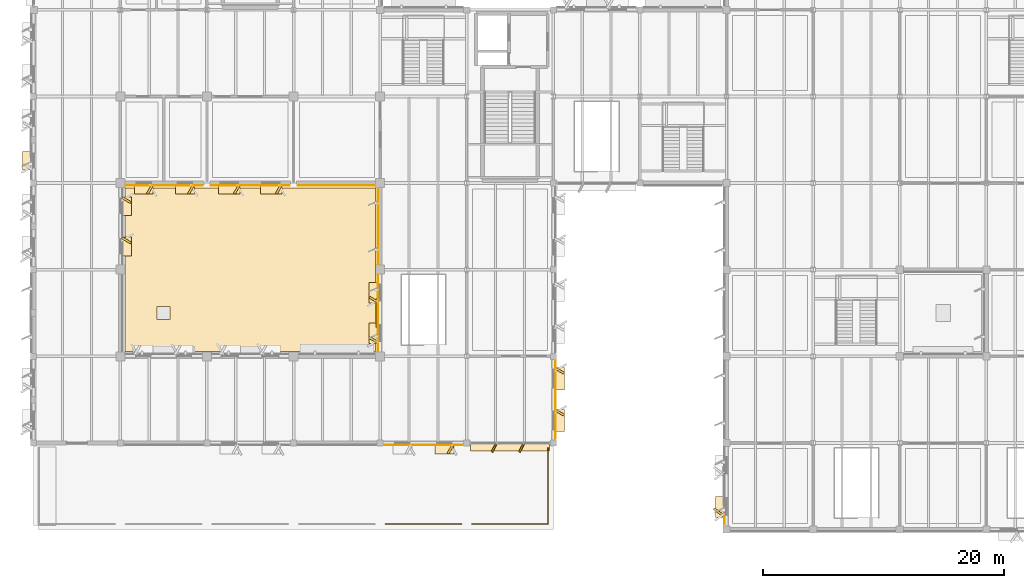
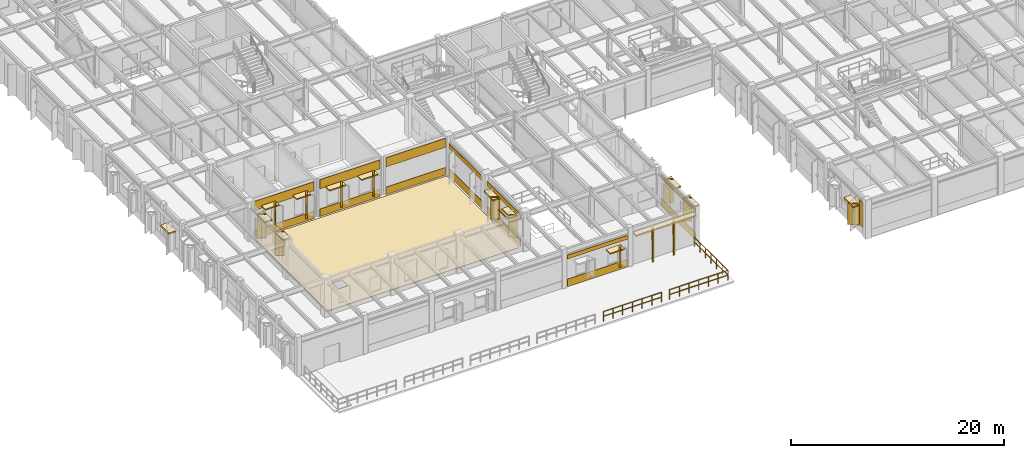
# One storey, part 76 of 92: 44 coverings, 3 railings, 1 shading device.
"""IFC4 building model written with IfcOpenShell, lengths in metres."""

from ifc_helpers import new_model, si_unit, direction, frame, frame_2d, origin, origin_2d, place, context, subcontext, project, spatial, polyline, rectangle, circle, outline, extrude, material, layer, layer_set, type_object, element, save


model = new_model("IFC4")

# Units and contexts
model_context = context("Model", 3, precision=1e-05, world=origin(), true_north=direction((0.0, 1.0)))
body_context = subcontext(model_context, "Body", "Model", "MODEL_VIEW")
ifc_project = project(units=[si_unit("LENGTHUNIT", "METRE"), si_unit("AREAUNIT", "SQUARE_METRE"), si_unit("VOLUMEUNIT", "CUBIC_METRE"), si_unit("PLANEANGLEUNIT", "RADIAN"), si_unit("MASSUNIT", "GRAM", prefix="KILO")], contexts=[model_context])

# Site, building, storey
site_placement = place(None, origin())
site = spatial("IfcSite", under=ifc_project, at=site_placement, CompositionType="ELEMENT")
building_placement = place(site_placement, origin())
building = spatial("IfcBuilding", under=site, at=building_placement, Name="Sillqori Civic Hall", CompositionType="ELEMENT")
storey_placement = place(building_placement, frame((0.0, 0.0, 5.39990234375)))
storey = spatial("IfcBuildingStorey", under=building, at=storey_placement, Name="L02", CompositionType="ELEMENT", Elevation=5.39990234375)

# Coverings
ifc_material_1 = material(Name="Cochabamba Honed Limestone Cladding", Category="masonry")
ifc_layer_1 = layer(ifc_material_1, 0.044921875)
ifc_layer_set_1 = layer_set([ifc_layer_1], Name="Cochabamba Honed Limestone Cladding")
covering_type_1 = type_object("IfcCoveringType", Name="COV-CLAD-LIME", PredefinedType="CLADDING", material=ifc_layer_set_1)
covering_1_placement = place(storey_placement, frame((14.550048828125, 34.797119140625, 0.830078125), z_axis=(0.0, 0.0, 1.0), x_axis=(0.865989465428, -0.500062241894, 0.0)))
element("IfcCovering", 1, at=covering_1_placement, inside=storey, type_object=covering_type_1, Name="Sawtooth limestone angled reveal cheek L02-01-04-E.1", PredefinedType="CLADDING", context=body_context, shape_type="SweptSolid", body=[
    extrude(rectangle(XDim=0.85009765625, YDim=0.179931640625, at=frame_2d((0.425048828125, 0.0))), origin(), (0.0, 0.0, 1.0), 2.699951171875),
])
covering_2_placement = place(storey_placement, frame((14.929931640625, 34.85693359375, 3.39013671875), z_axis=(0.0, 0.0, 1.0), x_axis=(0.0, -1.0, 0.0)))
element("IfcCovering", 2, at=covering_2_placement, inside=storey, type_object=covering_type_1, Name="Sawtooth limestone window hood L02-01-04-E.1", PredefinedType="CLADDING", context=body_context, shape_type="SweptSolid", body=[
    extrude(rectangle(XDim=1.559814453125, YDim=0.780029296875, at=frame_2d((0.77978515625, 0.0))), origin(), (0.0, 0.0, 1.0), 0.139892578125),
])
covering_3_placement = place(storey_placement, frame((14.550048828125, 31.443115234375, 0.830078125), z_axis=(0.0, 0.0, 1.0), x_axis=(0.865989465428, -0.500062241894, 0.0)))
element("IfcCovering", 3, at=covering_3_placement, inside=storey, type_object=covering_type_1, Name="Sawtooth limestone angled reveal cheek L02-01-04-E.2", PredefinedType="CLADDING", context=body_context, shape_type="SweptSolid", body=[
    extrude(rectangle(XDim=0.85009765625, YDim=0.179931640625, at=frame_2d((0.425048828125, 0.0))), origin(), (0.0, 0.0, 1.0), 2.699951171875),
])
covering_4_placement = place(storey_placement, frame((14.929931640625, 31.5029296875, 3.39013671875), z_axis=(0.0, 0.0, 1.0), x_axis=(0.0, -1.0, 0.0)))
element("IfcCovering", 4, at=covering_4_placement, inside=storey, type_object=covering_type_1, Name="Sawtooth limestone window hood L02-01-04-E.2", PredefinedType="CLADDING", context=body_context, shape_type="SweptSolid", body=[
    extrude(rectangle(XDim=1.559814453125, YDim=0.780029296875, at=frame_2d((0.77978515625, 0.0))), origin(), (0.0, 0.0, 1.0), 0.139892578125),
])
covering_5_placement = place(storey_placement, frame((6.669921875, 37.077880859375, 2.690185546875), z_axis=(0.0, 0.0, 1.0), x_axis=(0.0, 1.0, 0.0)))
element("IfcCovering", 5, at=covering_5_placement, inside=storey, type_object=covering_type_1, Name="Sawtooth limestone window hood L02-01-05-W.1", PredefinedType="CLADDING", context=body_context, shape_type="SweptSolid", body=[
    extrude(rectangle(XDim=1.56005859375, YDim=0.780029296875, at=frame_2d((0.780029296875, 0.0))), origin(), (0.0, 0.0, 1.0), 0.139892578125),
])
covering_6_placement = place(storey_placement, frame((21.27001953125, 35.81005859375, 0.0400390625), z_axis=(0.0, 0.0, 1.0), x_axis=(-1.0, 0.0, 0.0)))
element("IfcCovering", 6, at=covering_6_placement, inside=storey, type_object=covering_type_1, Name="L02 limestone spandrel cladding L02-02-05-S", PredefinedType="CLADDING", context=body_context, shape_type="SweptSolid", body=[
    extrude(rectangle(XDim=6.4150390625, YDim=0.044921875, at=frame_2d((3.20751953125, 0.0))), origin(), (0.0, 0.0, 1.0), 0.860107421875),
])
covering_7_placement = place(storey_placement, frame((21.27001953125, 35.81005859375, 3.22021484375), z_axis=(0.0, 0.0, 1.0), x_axis=(-1.0, 0.0, 0.0)))
element("IfcCovering", 7, at=covering_7_placement, inside=storey, type_object=covering_type_1, Name="L02 limestone frieze cladding L02-02-05-S", PredefinedType="CLADDING", context=body_context, shape_type="SweptSolid", body=[
    extrude(rectangle(XDim=6.4150390625, YDim=0.044921875, at=frame_2d((3.20751953125, 0.0))), origin(), (0.0, 0.0, 1.0), 1.039794921875),
])
covering_8_placement = place(storey_placement, frame((20.491943359375, 35.85009765625, 0.830078125), z_axis=(0.0, 0.0, 1.0), x_axis=(-0.500062241894, -0.865989465428, 0.0)))
element("IfcCovering", 8, at=covering_8_placement, inside=storey, type_object=covering_type_1, Name="Sawtooth limestone angled reveal cheek L02-02-05-S.1", PredefinedType="CLADDING", context=body_context, shape_type="SweptSolid", body=[
    extrude(rectangle(XDim=0.85009765625, YDim=0.179931640625, at=frame_2d((0.425048828125, 0.0))), origin(), (0.0, 0.0, 1.0), 2.699951171875),
])
covering_9_placement = place(storey_placement, frame((20.552001953125, 35.469970703125, 3.39013671875), z_axis=(0.0, 0.0, 1.0), x_axis=(-1.0, 0.0, 0.0)))
element("IfcCovering", 9, at=covering_9_placement, inside=storey, type_object=covering_type_1, Name="Sawtooth limestone window hood L02-02-05-S.1", PredefinedType="CLADDING", context=body_context, shape_type="SweptSolid", body=[
    extrude(rectangle(XDim=1.56005859375, YDim=0.780029296875, at=frame_2d((0.780029296875, 0.0))), origin(), (0.0, 0.0, 1.0), 0.139892578125),
])
covering_10_placement = place(storey_placement, frame((17.072998046875, 35.85009765625, 0.830078125), z_axis=(0.0, 0.0, 1.0), x_axis=(-0.500062241894, -0.865989465428, 0.0)))
element("IfcCovering", 10, at=covering_10_placement, inside=storey, type_object=covering_type_1, Name="Sawtooth limestone angled reveal cheek L02-02-05-S.2", PredefinedType="CLADDING", context=body_context, shape_type="SweptSolid", body=[
    extrude(rectangle(XDim=0.85009765625, YDim=0.179931640625, at=frame_2d((0.425048828125, 0.0))), origin(), (0.0, 0.0, 1.0), 2.699951171875),
])
covering_11_placement = place(storey_placement, frame((17.133056640625, 35.469970703125, 3.39013671875), z_axis=(0.0, 0.0, 1.0), x_axis=(-1.0, 0.0, 0.0)))
element("IfcCovering", 11, at=covering_11_placement, inside=storey, type_object=covering_type_1, Name="Sawtooth limestone window hood L02-02-05-S.2", PredefinedType="CLADDING", context=body_context, shape_type="SweptSolid", body=[
    extrude(rectangle(XDim=1.56005859375, YDim=0.780029296875, at=frame_2d((0.780029296875, 0.0))), origin(), (0.0, 0.0, 1.0), 0.139892578125),
])
covering_12_placement = place(storey_placement, frame((28.469970703125, 35.81005859375, 0.0400390625), z_axis=(0.0, 0.0, 1.0), x_axis=(-1.0, 0.0, 0.0)))
element("IfcCovering", 12, at=covering_12_placement, inside=storey, type_object=covering_type_1, Name="L02 limestone spandrel cladding L02-03-05-S", PredefinedType="CLADDING", context=body_context, shape_type="SweptSolid", body=[
    extrude(rectangle(XDim=6.5400390625, YDim=0.044921875, at=frame_2d((3.27001953125, 0.0))), origin(), (0.0, 0.0, 1.0), 0.860107421875),
])
covering_13_placement = place(storey_placement, frame((28.469970703125, 35.81005859375, 3.22021484375), z_axis=(0.0, 0.0, 1.0), x_axis=(-1.0, 0.0, 0.0)))
element("IfcCovering", 13, at=covering_13_placement, inside=storey, type_object=covering_type_1, Name="L02 limestone frieze cladding L02-03-05-S", PredefinedType="CLADDING", context=body_context, shape_type="SweptSolid", body=[
    extrude(rectangle(XDim=6.5400390625, YDim=0.044921875, at=frame_2d((3.27001953125, 0.0))), origin(), (0.0, 0.0, 1.0), 1.039794921875),
])
covering_14_placement = place(storey_placement, frame((27.787109375, 35.85009765625, 0.830078125), z_axis=(0.0, 0.0, 1.0), x_axis=(-0.500062241894, -0.865989465428, 0.0)))
element("IfcCovering", 14, at=covering_14_placement, inside=storey, type_object=covering_type_1, Name="Sawtooth limestone angled reveal cheek L02-03-05-S.1", PredefinedType="CLADDING", context=body_context, shape_type="SweptSolid", body=[
    extrude(rectangle(XDim=0.85009765625, YDim=0.179931640625, at=frame_2d((0.425048828125, 0.0))), origin(), (0.0, 0.0, 1.0), 2.449951171875),
])
covering_15_placement = place(storey_placement, frame((27.846923828125, 35.469970703125, 3.14013671875), z_axis=(0.0, 0.0, 1.0), x_axis=(-1.0, 0.0, 0.0)))
element("IfcCovering", 15, at=covering_15_placement, inside=storey, type_object=covering_type_1, Name="Sawtooth limestone window hood L02-03-05-S.1", PredefinedType="CLADDING", context=body_context, shape_type="SweptSolid", body=[
    extrude(rectangle(XDim=1.809814453125, YDim=0.780029296875, at=frame_2d((0.90478515625, 0.0))), origin(), (0.0, 0.0, 1.0), 0.139892578125),
])
covering_16_placement = place(storey_placement, frame((24.302978515625, 35.85009765625, 0.830078125), z_axis=(0.0, 0.0, 1.0), x_axis=(-0.500062241894, -0.865989465428, 0.0)))
element("IfcCovering", 16, at=covering_16_placement, inside=storey, type_object=covering_type_1, Name="Sawtooth limestone angled reveal cheek L02-03-05-S.2", PredefinedType="CLADDING", context=body_context, shape_type="SweptSolid", body=[
    extrude(rectangle(XDim=0.85009765625, YDim=0.179931640625, at=frame_2d((0.425048828125, 0.0))), origin(), (0.0, 0.0, 1.0), 2.449951171875),
])
covering_17_placement = place(storey_placement, frame((24.363037109375, 35.469970703125, 3.14013671875), z_axis=(0.0, 0.0, 1.0), x_axis=(-1.0, 0.0, 0.0)))
element("IfcCovering", 17, at=covering_17_placement, inside=storey, type_object=covering_type_1, Name="Sawtooth limestone window hood L02-03-05-S.2", PredefinedType="CLADDING", context=body_context, shape_type="SweptSolid", body=[
    extrude(rectangle(XDim=1.81005859375, YDim=0.780029296875, at=frame_2d((0.905029296875, 0.0))), origin(), (0.0, 0.0, 1.0), 0.139892578125),
])
covering_18_placement = place(storey_placement, frame((35.544921875, 35.81005859375, 0.0400390625), z_axis=(0.0, 0.0, 1.0), x_axis=(-1.0, 0.0, 0.0)))
element("IfcCovering", 18, at=covering_18_placement, inside=storey, type_object=covering_type_1, Name="L02 limestone spandrel cladding L02-04-05-S", PredefinedType="CLADDING", context=body_context, shape_type="SweptSolid", body=[
    extrude(rectangle(XDim=6.4150390625, YDim=0.044921875, at=frame_2d((3.20751953125, 0.0))), origin(), (0.0, 0.0, 1.0), 0.860107421875),
])
covering_19_placement = place(storey_placement, frame((35.544921875, 35.81005859375, 3.22021484375), z_axis=(0.0, 0.0, 1.0), x_axis=(-1.0, 0.0, 0.0)))
element("IfcCovering", 19, at=covering_19_placement, inside=storey, type_object=covering_type_1, Name="L02 limestone frieze cladding L02-04-05-S", PredefinedType="CLADDING", context=body_context, shape_type="SweptSolid", body=[
    extrude(rectangle(XDim=6.4150390625, YDim=0.044921875, at=frame_2d((3.20751953125, 0.0))), origin(), (0.0, 0.0, 1.0), 1.039794921875),
])
covering_20_placement = place(storey_placement, frame((42.8701171875, 14.2099609375, 0.0400390625), z_axis=(0.0, 0.0, 1.0), x_axis=(-1.0, 0.0, 0.0)))
element("IfcCovering", 20, at=covering_20_placement, inside=storey, type_object=covering_type_1, Name="L02 limestone spandrel cladding L02-05-02-S", PredefinedType="CLADDING", context=body_context, shape_type="SweptSolid", body=[
    extrude(rectangle(XDim=6.5400390625, YDim=0.044921875, at=frame_2d((3.27001953125, 0.0))), origin(), (0.0, 0.0, 1.0), 0.860107421875),
])
covering_21_placement = place(storey_placement, frame((42.8701171875, 14.2099609375, 3.22021484375), z_axis=(0.0, 0.0, 1.0), x_axis=(-1.0, 0.0, 0.0)))
element("IfcCovering", 21, at=covering_21_placement, inside=storey, type_object=covering_type_1, Name="L02 limestone frieze cladding L02-05-02-S", PredefinedType="CLADDING", context=body_context, shape_type="SweptSolid", body=[
    extrude(rectangle(XDim=6.5400390625, YDim=0.044921875, at=frame_2d((3.27001953125, 0.0))), origin(), (0.0, 0.0, 1.0), 0.43798828125),
])
covering_22_placement = place(storey_placement, frame((42.06201171875, 14.25, 0.830078125), z_axis=(0.0, 0.0, 1.0), x_axis=(-0.500062241894, -0.865989465428, 0.0)))
element("IfcCovering", 22, at=covering_22_placement, inside=storey, type_object=covering_type_1, Name="Sawtooth limestone angled reveal cheek L02-05-02-S.1", PredefinedType="CLADDING", context=body_context, shape_type="SweptSolid", body=[
    extrude(rectangle(XDim=0.85009765625, YDim=0.179931640625, at=frame_2d((0.425048828125, 0.0))), origin(), (0.0, 0.0, 1.0), 2.0),
])
covering_23_placement = place(storey_placement, frame((42.1220703125, 13.8701171875, 2.690185546875), z_axis=(0.0, 0.0, 1.0), x_axis=(-1.0, 0.0, 0.0)))
element("IfcCovering", 23, at=covering_23_placement, inside=storey, type_object=covering_type_1, Name="Sawtooth limestone window hood L02-05-02-S.1", PredefinedType="CLADDING", context=body_context, shape_type="SweptSolid", body=[
    extrude(rectangle(XDim=1.56005859375, YDim=0.780029296875, at=frame_2d((0.780029296875, 0.0))), origin(), (0.0, 0.0, 1.0), 0.139892578125),
])
covering_24_placement = place(storey_placement, frame((35.81005859375, 22.054931640625, 0.0400390625), z_axis=(0.0, 0.0, 1.0), x_axis=(0.0, 1.0, 0.0)))
element("IfcCovering", 24, at=covering_24_placement, inside=storey, type_object=covering_type_1, Name="L02 limestone spandrel cladding L02-05-03-W", PredefinedType="CLADDING", context=body_context, shape_type="SweptSolid", body=[
    extrude(rectangle(XDim=6.2900390625, YDim=0.044921875, at=frame_2d((3.14501953125, 0.0))), origin(), (0.0, 0.0, 1.0), 0.860107421875),
])
covering_25_placement = place(storey_placement, frame((35.81005859375, 22.054931640625, 3.22021484375), z_axis=(0.0, 0.0, 1.0), x_axis=(0.0, 1.0, 0.0)))
element("IfcCovering", 25, at=covering_25_placement, inside=storey, type_object=covering_type_1, Name="L02 limestone frieze cladding L02-05-03-W", PredefinedType="CLADDING", context=body_context, shape_type="SweptSolid", body=[
    extrude(rectangle(XDim=6.2900390625, YDim=0.044921875, at=frame_2d((3.14501953125, 0.0))), origin(), (0.0, 0.0, 1.0), 0.5068359375),
])
covering_26_placement = place(storey_placement, frame((35.85009765625, 22.72802734375, 0.830078125), z_axis=(0.0, 0.0, 1.0), x_axis=(-0.865989465428, 0.500062241894, 0.0)))
element("IfcCovering", 26, at=covering_26_placement, inside=storey, type_object=covering_type_1, Name="Sawtooth limestone angled reveal cheek L02-05-03-W.1", PredefinedType="CLADDING", context=body_context, shape_type="SweptSolid", body=[
    extrude(rectangle(XDim=0.85009765625, YDim=0.179931640625, at=frame_2d((0.425048828125, 0.0))), origin(), (0.0, 0.0, 1.0), 2.449951171875),
])
covering_27_placement = place(storey_placement, frame((35.469970703125, 22.66796875, 3.14013671875), z_axis=(0.0, 0.0, 1.0), x_axis=(0.0, 1.0, 0.0)))
element("IfcCovering", 27, at=covering_27_placement, inside=storey, type_object=covering_type_1, Name="Sawtooth limestone window hood L02-05-03-W.1", PredefinedType="CLADDING", context=body_context, shape_type="SweptSolid", body=[
    extrude(rectangle(XDim=1.7099609375, YDim=0.780029296875, at=frame_2d((0.85498046875, 0.0))), origin(), (0.0, 0.0, 1.0), 0.139892578125),
])
covering_28_placement = place(storey_placement, frame((35.85009765625, 26.08203125, 0.830078125), z_axis=(0.0, 0.0, 1.0), x_axis=(-0.865989465428, 0.500062241894, 0.0)))
element("IfcCovering", 28, at=covering_28_placement, inside=storey, type_object=covering_type_1, Name="Sawtooth limestone angled reveal cheek L02-05-03-W.2", PredefinedType="CLADDING", context=body_context, shape_type="SweptSolid", body=[
    extrude(rectangle(XDim=0.85009765625, YDim=0.179931640625, at=frame_2d((0.425048828125, 0.0))), origin(), (0.0, 0.0, 1.0), 2.449951171875),
])
covering_29_placement = place(storey_placement, frame((35.469970703125, 26.02197265625, 3.14013671875), z_axis=(0.0, 0.0, 1.0), x_axis=(0.0, 1.0, 0.0)))
element("IfcCovering", 29, at=covering_29_placement, inside=storey, type_object=covering_type_1, Name="Sawtooth limestone window hood L02-05-03-W.2", PredefinedType="CLADDING", context=body_context, shape_type="SweptSolid", body=[
    extrude(rectangle(XDim=1.7099609375, YDim=0.780029296875, at=frame_2d((0.85498046875, 0.0))), origin(), (0.0, 0.0, 1.0), 0.139892578125),
])
covering_30_placement = place(storey_placement, frame((35.81005859375, 29.2548828125, 0.0400390625), z_axis=(0.0, 0.0, 1.0), x_axis=(0.0, 1.0, 0.0)))
element("IfcCovering", 30, at=covering_30_placement, inside=storey, type_object=covering_type_1, Name="L02 limestone spandrel cladding L02-05-04-W", PredefinedType="CLADDING", context=body_context, shape_type="SweptSolid", body=[
    extrude(rectangle(XDim=6.2900390625, YDim=0.044921875, at=frame_2d((3.14501953125, 0.0))), origin(), (0.0, 0.0, 1.0), 0.860107421875),
])
covering_31_placement = place(storey_placement, frame((35.81005859375, 29.2548828125, 3.22021484375), z_axis=(0.0, 0.0, 1.0), x_axis=(0.0, 1.0, 0.0)))
element("IfcCovering", 31, at=covering_31_placement, inside=storey, type_object=covering_type_1, Name="L02 limestone frieze cladding L02-05-04-W", PredefinedType="CLADDING", context=body_context, shape_type="SweptSolid", body=[
    extrude(rectangle(XDim=6.2900390625, YDim=0.044921875, at=frame_2d((3.14501953125, 0.0))), origin(), (0.0, 0.0, 1.0), 0.5068359375),
])
covering_32_placement = place(storey_placement, frame((50.070068359375, 14.080078125, 3.51806640625), z_axis=(0.0, 0.0, 1.0), x_axis=(-1.0, 0.0, 0.0)))
element("IfcCovering", 32, at=covering_32_placement, inside=storey, type_object=covering_type_1, Name="L02 curtain-wall limestone solar hood L02-06-02-S", PredefinedType="CLADDING", context=body_context, shape_type="SweptSolid", body=[
    extrude(rectangle(XDim=6.5400390625, YDim=0.679931640625, at=frame_2d((3.27001953125, 0.0))), origin(), (0.0, 0.0, 1.0), 0.179931640625),
])
for number, where, z_axis, x_axis, name in (
    (33, (47.93896484375, 14.35009765625, 0.06005859375), (0.0, 0.0, 1.0), (-0.44697098964, -0.894548452807, 0.0), "L02 curtain-wall angled stone fin L02-06-02-S.1"),
    (34, (45.660888671875, 14.35009765625, 0.06005859375), (0.0, 0.0, 1.0), (-0.44697098964, -0.894548452807, 0.0), "L02 curtain-wall angled stone fin L02-06-02-S.2"),
):
    element("IfcCovering", number, at=place(storey_placement, frame(where, z_axis=z_axis, x_axis=x_axis)), inside=storey, type_object=covering_type_1, Name=name, PredefinedType="CLADDING", context=body_context, shape_type="SweptSolid", body=[
        extrude(rectangle(XDim=0.80517578125, YDim=0.139892578125, at=frame_2d((0.402587890625, 0.0))), origin(), (0.0, 0.0, 1.0), 3.4580078125),
    ])
covering_33_placement = place(storey_placement, frame((50.590087890625, 21.27001953125, 0.0400390625), z_axis=(0.0, 0.0, 1.0), x_axis=(0.0, -1.0, 0.0)))
element("IfcCovering", 35, at=covering_33_placement, inside=storey, type_object=covering_type_1, Name="L02 limestone spandrel cladding L02-06-02-E", PredefinedType="CLADDING", context=body_context, shape_type="SweptSolid", body=[
    extrude(rectangle(XDim=6.5400390625, YDim=0.044921875, at=frame_2d((3.27001953125, 0.0))), origin(), (0.0, 0.0, 1.0), 0.860107421875),
])
covering_34_placement = place(storey_placement, frame((50.590087890625, 21.27001953125, 3.22021484375), z_axis=(0.0, 0.0, 1.0), x_axis=(0.0, -1.0, 0.0)))
element("IfcCovering", 36, at=covering_34_placement, inside=storey, type_object=covering_type_1, Name="L02 limestone frieze cladding L02-06-02-E", PredefinedType="CLADDING", context=body_context, shape_type="SweptSolid", body=[
    extrude(rectangle(XDim=6.5400390625, YDim=0.044921875, at=frame_2d((3.27001953125, 0.0))), origin(), (0.0, 0.0, 1.0), 0.5068359375),
])
covering_35_placement = place(storey_placement, frame((50.550048828125, 20.612060546875, 0.830078125), z_axis=(0.0, 0.0, 1.0), x_axis=(0.865989465428, -0.500062241894, 0.0)))
element("IfcCovering", 37, at=covering_35_placement, inside=storey, type_object=covering_type_1, Name="Sawtooth limestone angled reveal cheek L02-06-02-E.1", PredefinedType="CLADDING", context=body_context, shape_type="SweptSolid", body=[
    extrude(rectangle(XDim=0.85009765625, YDim=0.179931640625, at=frame_2d((0.425048828125, 0.0))), origin(), (0.0, 0.0, 1.0), 2.699951171875),
])
covering_36_placement = place(storey_placement, frame((50.929931640625, 20.672119140625, 3.39013671875), z_axis=(0.0, 0.0, 1.0), x_axis=(0.0, -1.0, 0.0)))
element("IfcCovering", 38, at=covering_36_placement, inside=storey, type_object=covering_type_1, Name="Sawtooth limestone window hood L02-06-02-E.1", PredefinedType="CLADDING", context=body_context, shape_type="SweptSolid", body=[
    extrude(rectangle(XDim=1.860107421875, YDim=0.780029296875, at=frame_2d((0.93017578125, 0.0))), origin(), (0.0, 0.0, 1.0), 0.139892578125),
])
covering_37_placement = place(storey_placement, frame((50.550048828125, 17.1279296875, 0.830078125), z_axis=(0.0, 0.0, 1.0), x_axis=(0.865989465428, -0.500062241894, 0.0)))
element("IfcCovering", 39, at=covering_37_placement, inside=storey, type_object=covering_type_1, Name="Sawtooth limestone angled reveal cheek L02-06-02-E.2", PredefinedType="CLADDING", context=body_context, shape_type="SweptSolid", body=[
    extrude(rectangle(XDim=0.85009765625, YDim=0.179931640625, at=frame_2d((0.425048828125, 0.0))), origin(), (0.0, 0.0, 1.0), 2.699951171875),
])
covering_38_placement = place(storey_placement, frame((50.929931640625, 17.18798828125, 3.39013671875), z_axis=(0.0, 0.0, 1.0), x_axis=(0.0, -1.0, 0.0)))
element("IfcCovering", 40, at=covering_38_placement, inside=storey, type_object=covering_type_1, Name="Sawtooth limestone window hood L02-06-02-E.2", PredefinedType="CLADDING", context=body_context, shape_type="SweptSolid", body=[
    extrude(rectangle(XDim=1.860107421875, YDim=0.780029296875, at=frame_2d((0.93017578125, 0.0))), origin(), (0.0, 0.0, 1.0), 0.139892578125),
])
covering_39_placement = place(storey_placement, frame((64.6201171875, 7.580078125, 0.900146484375), z_axis=(0.0, 0.0, 1.0), x_axis=(0.0, 1.0, 0.0)))
element("IfcCovering", 41, at=covering_39_placement, inside=storey, type_object=covering_type_1, Name="L02 Wedge Hall limestone pier cladding L02-09-01-W.1", PredefinedType="CLADDING", context=body_context, shape_type="SweptSolid", body=[
    extrude(rectangle(XDim=0.763916015625, YDim=0.044921875, at=frame_2d((0.3818359375, 0.0))), origin(), (0.0, 0.0, 1.0), 2.826904296875),
])
covering_40_placement = place(storey_placement, frame((64.659912109375, 8.263916015625, 0.830078125), z_axis=(0.0, 0.0, 1.0), x_axis=(-0.809002213092, 0.587805596445, 0.0)))
element("IfcCovering", 42, at=covering_40_placement, inside=storey, type_object=covering_type_1, Name="Sawtooth limestone angled reveal cheek L02-09-01-W.1", PredefinedType="CLADDING", context=body_context, shape_type="SweptSolid", body=[
    extrude(rectangle(XDim=1.150146484375, YDim=0.179931640625, at=frame_2d((0.5751953125, 0.0))), origin(), (0.0, 0.0, 1.0), 2.39990234375),
])
covering_41_placement = place(storey_placement, frame((64.280029296875, 8.2041015625, 3.090087890625), z_axis=(0.0, 0.0, 1.0), x_axis=(0.0, 1.0, 0.0)))
element("IfcCovering", 43, at=covering_41_placement, inside=storey, type_object=covering_type_1, Name="Sawtooth limestone window hood L02-09-01-W.1", PredefinedType="CLADDING", context=body_context, shape_type="SweptSolid", body=[
    extrude(rectangle(XDim=1.760009765625, YDim=0.780029296875, at=frame_2d((0.8798828125, 0.0))), origin(), (0.0, 0.0, 1.0), 0.139892578125),
])
ifc_material_2 = material(Name="Insulated Standing-Seam Solar Roof Membrane", Category="membrane")
ifc_layer_2 = layer(ifc_material_2, 0.054931640625)
ifc_layer_set_2 = layer_set([ifc_layer_2], Name="Insulated Standing-Seam Solar Roof Membrane")
covering_type_2 = type_object("IfcCoveringType", Name="COV-ROOF-TPO", PredefinedType="ROOFING", material=ifc_layer_set_2)
covering_42_placement = place(storey_placement, origin())
element("IfcCovering", 44, at=covering_42_placement, inside=storey, type_object=covering_type_2, Name="L02 insulated TPO roof membrane ROOF-FLAT-L01-1", PredefinedType="ROOFING", context=body_context, shape_type="SweptSolid", body=[
    extrude(outline(polyline([(14.800048828125, 22.0), (35.60009765625, 22.0), (35.60009765625, 35.60009765625), (14.800048828125, 35.60009765625), (14.800048828125, 22.0)]), holes=[polyline([(17.449951171875, 24.64990234375), (17.449951171875, 25.75), (18.550048828125, 25.75), (18.550048828125, 24.64990234375), (17.449951171875, 24.64990234375)])]), origin(), (0.0, 0.0, 1.0), 0.05517578125),
])

# Railings
ifc_material_3 = material(Name="Architectural Bronze and Tempered Glass Balustrade", Category="glass")
ifc_layer_3 = layer(ifc_material_3, 0.080078125)
ifc_layer_set_3 = layer_set([ifc_layer_3], Name="Architectural Bronze and Tempered Glass Balustrade")
railing_type = type_object("IfcRailingType", Name="RLG-BALU-115", PredefinedType="BALUSTRADE", material=ifc_layer_set_3)
for number, where, name in (
    (45, (36.43994140625, 7.639892578125, 0.0), "South Chamber Step Terrace 1 perimeter guard S-05"),
    (46, (43.639892578125, 7.639892578125, 0.0), "South Chamber Step Terrace 1 perimeter guard S-06"),
):
    element("IfcRailing", number, at=place(storey_placement, frame(where)), inside=storey, type_object=railing_type, Name=name, PredefinedType="BALUSTRADE", context=body_context, shape_type="SweptSolid", body=[
        extrude(circle(Radius=0.02392578125, at=origin_2d()), frame((0.0, 0.0, 1.1259765625), z_axis=(1.0, 0.0, 0.0), x_axis=(0.0, 1.0, 0.0)), (0.0, 0.0, 1.0), 6.320068359375),
        extrude(circle(Radius=0.02392578125, at=origin_2d()), frame((0.0, 0.0, 0.574951171875), z_axis=(1.0, 0.0, 0.0), x_axis=(0.0, 1.0, 0.0)), (0.0, 0.0, 1.0), 6.320068359375),
        extrude(circle(Radius=0.02099609375, at=origin_2d()), origin(), (0.0, 0.0, 1.0), 1.101806640625),
        extrude(circle(Radius=0.02099609375, at=origin_2d()), frame((1.05322265625, 0.0, 0.0)), (0.0, 0.0, 1.0), 1.101806640625),
        extrude(circle(Radius=0.02099609375, at=origin_2d()), frame((2.106689453125, 0.0, 0.0)), (0.0, 0.0, 1.0), 1.101806640625),
        extrude(circle(Radius=0.02099609375, at=origin_2d()), frame((3.16015625, 0.0, 0.0)), (0.0, 0.0, 1.0), 1.101806640625),
        extrude(circle(Radius=0.02099609375, at=origin_2d()), frame((4.21337890625, 0.0, 0.0)), (0.0, 0.0, 1.0), 1.101806640625),
        extrude(circle(Radius=0.02099609375, at=origin_2d()), frame((5.2666015625, 0.0, 0.0)), (0.0, 0.0, 1.0), 1.101806640625),
        extrude(circle(Radius=0.02099609375, at=origin_2d()), frame((6.320068359375, 0.0, 0.0)), (0.0, 0.0, 1.0), 1.101806640625),
    ])
railing_placement = place(storey_placement, frame((49.9599609375, 7.639892578125, 0.0)))
element("IfcRailing", 47, at=railing_placement, inside=storey, type_object=railing_type, Name="South Chamber Step Terrace 1 perimeter guard E-08", PredefinedType="BALUSTRADE", context=body_context, shape_type="SweptSolid", body=[
    extrude(circle(Radius=0.02392578125, at=origin_2d()), frame((0.0, 0.0, 1.1259765625), z_axis=(0.0, 1.0, 0.0), x_axis=(-1.0, 0.0, 0.0)), (0.0, 0.0, 1.0), 6.320068359375),
    extrude(circle(Radius=0.02392578125, at=origin_2d()), frame((0.0, 0.0, 0.574951171875), z_axis=(0.0, 1.0, 0.0), x_axis=(-1.0, 0.0, 0.0)), (0.0, 0.0, 1.0), 6.320068359375),
    extrude(circle(Radius=0.02099609375, at=origin_2d()), origin(), (0.0, 0.0, 1.0), 1.101806640625),
    extrude(circle(Radius=0.02099609375, at=origin_2d()), frame((0.0, 1.05322265625, 0.0)), (0.0, 0.0, 1.0), 1.101806640625),
    extrude(circle(Radius=0.02099609375, at=origin_2d()), frame((0.0, 2.106689453125, 0.0)), (0.0, 0.0, 1.0), 1.101806640625),
    extrude(circle(Radius=0.02099609375, at=origin_2d()), frame((0.0, 3.16015625, 0.0)), (0.0, 0.0, 1.0), 1.101806640625),
    extrude(circle(Radius=0.02099609375, at=origin_2d()), frame((0.0, 4.21337890625, 0.0)), (0.0, 0.0, 1.0), 1.101806640625),
    extrude(circle(Radius=0.02099609375, at=origin_2d()), frame((0.0, 5.2666015625, 0.0)), (0.0, 0.0, 1.0), 1.101806640625),
    extrude(circle(Radius=0.02099609375, at=origin_2d()), frame((0.0, 6.320068359375, 0.0)), (0.0, 0.0, 1.0), 1.101806640625),
])

# Shading device
ifc_material_4 = material(Name="Anodized Aluminium Solar Control Louvre", Category="aluminium")
shading_device_type = type_object("IfcShadingDeviceType", Name="SHD-CLAU-240", PredefinedType="SHUTTER", material=ifc_material_4)
shading_device_placement = place(storey_placement, frame((35.77001953125, 25.199951171875, 1.8134765625), z_axis=(0.0, 0.0, 1.0), x_axis=(0.0, 1.0, 0.0)))
element("IfcShadingDevice", 48, at=shading_device_placement, inside=storey, type_object=shading_device_type, Name="L02 pierced claustra screen L02-05-03-W", PredefinedType="SHUTTER", context=body_context, shape_type="SweptSolid", body=[
    extrude(rectangle(XDim=2.39990234375, YDim=0.159912109375, at=origin_2d()), origin(), (0.0, 0.0, 1.0), 0.139892578125),
])

save(model, "model.ifc")
